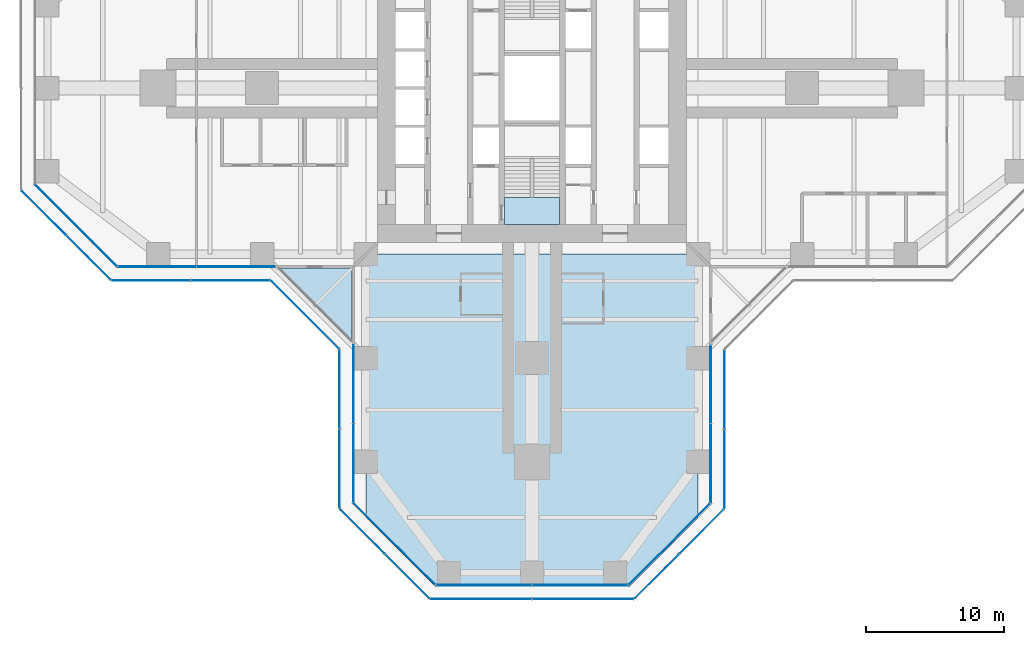
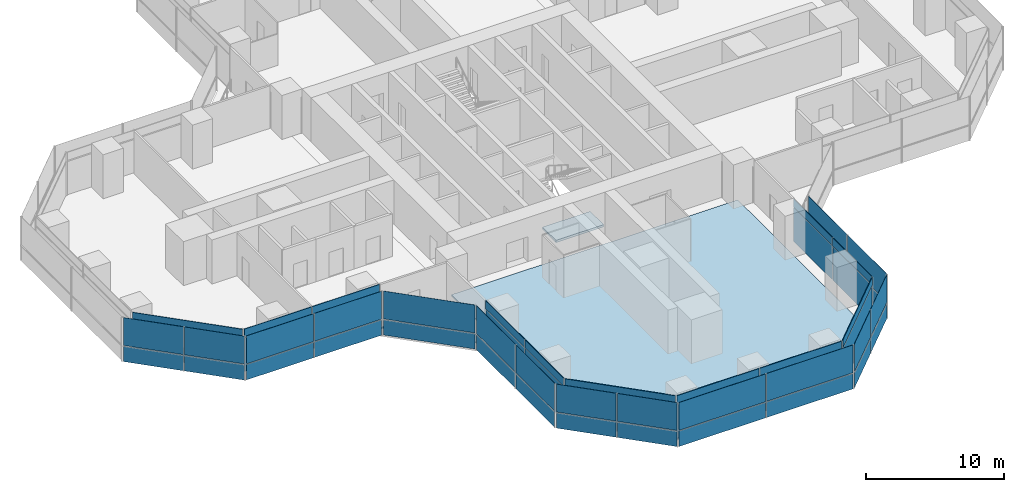
# One storey, part 14 of 22: 52 plates, 3 slabs, 16 elements without a shape of their own.
"""IFC4 building model written with IfcOpenShell, lengths in metres."""

from ifc_helpers import new_model, si_unit, direction, frame, origin, origin_2d, place, context, subcontext, project, spatial, polyline, rectangle, outline, extrude, material, layer, layer_set, type_object, element, aggregate, save


model = new_model("IFC4")

# Units and contexts
model_context = context("Model", 3, precision=1e-05, world=origin(), true_north=direction((0.0, 1.0)))
body_context = subcontext(model_context, "Body", "Model", "MODEL_VIEW")
ifc_project = project(units=[si_unit("LENGTHUNIT", "METRE"), si_unit("AREAUNIT", "SQUARE_METRE"), si_unit("VOLUMEUNIT", "CUBIC_METRE"), si_unit("PLANEANGLEUNIT", "RADIAN"), si_unit("MASSUNIT", "GRAM", prefix="KILO")], contexts=[model_context])

# Site, building, storey
site_placement = place(None, origin())
site = spatial("IfcSite", under=ifc_project, at=site_placement, CompositionType="ELEMENT")
building_placement = place(site_placement, origin())
building = spatial("IfcBuilding", under=site, at=building_placement, Name="Mizan Broadcast Tower", CompositionType="ELEMENT")
storey_placement = place(building_placement, frame((0.0, 0.0, 43.5)))
storey = spatial("IfcBuildingStorey", under=building, at=storey_placement, Name="L07", CompositionType="ELEMENT", Elevation=43.5)

# Slab
ifc_material_1 = material(Name="Concrete C32/40", Category="concrete")
ifc_layer_1 = layer(ifc_material_1, 0.1298828125)
ifc_layer_set_1 = layer_set([ifc_layer_1], Name="Concrete C32/40")
slab_type_1 = type_object("IfcSlabType", Name="COMPOSITE DECK SLAB 130", PredefinedType="FLOOR", material=ifc_layer_set_1)
slab_1_placement = place(storey_placement, frame((0.0, 0.0, -0.1298828125)))
element("IfcSlab", 1, at=slab_1_placement, inside=storey, type_object=slab_type_1, Name="Floor slab L07 south arm", PredefinedType="FLOOR", context=body_context, shape_type="SweptSolid", body=[
    extrude(outline(polyline([(7.0, -36.0), (12.0, -31.0), (12.0, -12.0), (-12.0, -12.0), (-12.0, -31.0), (-7.0, -36.0), (7.0, -36.0)])), origin(), (0.0, 0.0, 1.0), 0.1298828125),
])

# Curtain wall, plate
ifc_material_2 = material(Name="Aluminium framed glazing", Category="aluminium")
curtain_wall_type_1 = type_object("IfcCurtainWallType", Name="INNER SKIN LOW ZONE", PredefinedType="USERDEFINED", material=ifc_material_2)
curtain_wall_1_placement = place(storey_placement, origin())
curtain_wall_1 = element("IfcCurtainWall", 2, at=curtain_wall_1_placement, inside=storey, type_object=curtain_wall_type_1, Name="Inner skin low zone L07 W chamfer", ObjectType="INNER SKIN LOW ZONE", PredefinedType="USERDEFINED")
ifc_material_3 = material(Name="Double glazing, clear low-e", Category="glass")
ifc_layer_2 = layer(ifc_material_3, 0.028076171875)
ifc_layer_set_2 = layer_set([ifc_layer_2], Name="Double glazing, clear low-e")
plate_type_1 = type_object("IfcPlateType", Name="INNER SKIN GLAZING UNIT", PredefinedType="CURTAIN_PANEL", material=ifc_layer_set_2)
plate_1_placement = place(storey_placement, frame((-32.92919921875, -9.92919921875, 0.0), z_axis=(0.0, 0.0, 1.0), x_axis=(0.707106781187, -0.707106781187, 0.0)))
plate_1 = element("IfcPlate", 3, at=plate_1_placement, type_object=plate_type_1, Name="Inner skin low zone L07 W chamfer panel 1.1", PredefinedType="CURTAIN_PANEL", context=body_context, shape_type="SweptSolid", body=[
    extrude(rectangle(XDim=8.282470703125, YDim=0.028076171875, at=origin_2d()), origin(), (0.0, 0.0, 1.0), 3.0),
])

# Curtain wall, plates
curtain_wall_2_placement = place(storey_placement, origin())
curtain_wall_2 = element("IfcCurtainWall", 4, at=curtain_wall_2_placement, inside=storey, type_object=curtain_wall_type_1, Name="Inner skin low zone L07 W side", ObjectType="INNER SKIN LOW ZONE", PredefinedType="USERDEFINED")
plate_2_placement = place(storey_placement, frame((-27.078857421875, -12.89990234375, 0.0), z_axis=(0.0, 0.0, 1.0), x_axis=(1.0, 0.0, 0.0)))
plate_2 = element("IfcPlate", 5, at=plate_2_placement, type_object=plate_type_1, Name="Inner skin low zone L07 W side panel 1.1", PredefinedType="CURTAIN_PANEL", context=body_context, shape_type="SweptSolid", body=[
    extrude(rectangle(XDim=5.639404296875, YDim=0.028076171875, at=origin_2d()), origin(), (0.0, 0.0, 1.0), 3.0),
])
plate_3_placement = place(storey_placement, frame((-21.379638671875, -12.89990234375, 0.0), z_axis=(0.0, 0.0, 1.0), x_axis=(1.0, 0.0, 0.0)))
plate_3 = element("IfcPlate", 6, at=plate_3_placement, type_object=plate_type_1, Name="Inner skin low zone L07 W side panel 2.1", PredefinedType="CURTAIN_PANEL", context=body_context, shape_type="SweptSolid", body=[
    extrude(rectangle(XDim=5.639404296875, YDim=0.028076171875, at=origin_2d()), origin(), (0.0, 0.0, 1.0), 3.0),
])

curtain_wall_3_placement = place(storey_placement, origin())
curtain_wall_3 = element("IfcCurtainWall", 7, at=curtain_wall_3_placement, inside=storey, type_object=curtain_wall_type_1, Name="Inner skin low zone L07 S side", ObjectType="INNER SKIN LOW ZONE", PredefinedType="USERDEFINED")
plate_4_placement = place(storey_placement, frame((-12.89990234375, -21.379638671875, 0.0), z_axis=(0.0, 0.0, 1.0), x_axis=(0.0, -1.0, 0.0)))
plate_4 = element("IfcPlate", 8, at=plate_4_placement, type_object=plate_type_1, Name="Inner skin low zone L07 S side panel 1.1", PredefinedType="CURTAIN_PANEL", context=body_context, shape_type="SweptSolid", body=[
    extrude(rectangle(XDim=5.639404296875, YDim=0.028076171875, at=origin_2d()), origin(), (0.0, 0.0, 1.0), 3.0),
])
plate_5_placement = place(storey_placement, frame((-12.89990234375, -27.078857421875, 0.0), z_axis=(0.0, 0.0, 1.0), x_axis=(0.0, -1.0, 0.0)))
plate_5 = element("IfcPlate", 9, at=plate_5_placement, type_object=plate_type_1, Name="Inner skin low zone L07 S side panel 2.1", PredefinedType="CURTAIN_PANEL", context=body_context, shape_type="SweptSolid", body=[
    extrude(rectangle(XDim=5.639404296875, YDim=0.028076171875, at=origin_2d()), origin(), (0.0, 0.0, 1.0), 3.0),
])

# Curtain wall, plate
curtain_wall_4_placement = place(storey_placement, origin())
curtain_wall_4 = element("IfcCurtainWall", 10, at=curtain_wall_4_placement, inside=storey, type_object=curtain_wall_type_1, Name="Inner skin low zone L07 S chamfer", ObjectType="INNER SKIN LOW ZONE", PredefinedType="USERDEFINED")
plate_6_placement = place(storey_placement, frame((-9.92919921875, -32.92919921875, 0.0), z_axis=(0.0, 0.0, 1.0), x_axis=(0.707106781187, -0.707106781187, 0.0)))
plate_6 = element("IfcPlate", 11, at=plate_6_placement, type_object=plate_type_1, Name="Inner skin low zone L07 S chamfer panel 1.1", PredefinedType="CURTAIN_PANEL", context=body_context, shape_type="SweptSolid", body=[
    extrude(rectangle(XDim=8.282470703125, YDim=0.028076171875, at=origin_2d()), origin(), (0.0, 0.0, 1.0), 3.0),
])

# Curtain wall, plates
curtain_wall_5_placement = place(storey_placement, origin())
curtain_wall_5 = element("IfcCurtainWall", 12, at=curtain_wall_5_placement, inside=storey, type_object=curtain_wall_type_1, Name="Inner skin low zone L07 S end", ObjectType="INNER SKIN LOW ZONE", PredefinedType="USERDEFINED")
plate_7_placement = place(storey_placement, frame((-3.46435546875, -35.89990234375, 0.0), z_axis=(0.0, 0.0, 1.0), x_axis=(1.0, 0.0, 0.0)))
plate_7 = element("IfcPlate", 13, at=plate_7_placement, type_object=plate_type_1, Name="Inner skin low zone L07 S end panel 1.1", PredefinedType="CURTAIN_PANEL", context=body_context, shape_type="SweptSolid", body=[
    extrude(rectangle(XDim=6.86865234375, YDim=0.028076171875, at=origin_2d()), origin(), (0.0, 0.0, 1.0), 3.0),
])
plate_8_placement = place(storey_placement, frame((3.46435546875, -35.89990234375, 0.0), z_axis=(0.0, 0.0, 1.0), x_axis=(1.0, 0.0, 0.0)))
plate_8 = element("IfcPlate", 14, at=plate_8_placement, type_object=plate_type_1, Name="Inner skin low zone L07 S end panel 2.1", PredefinedType="CURTAIN_PANEL", context=body_context, shape_type="SweptSolid", body=[
    extrude(rectangle(XDim=6.86865234375, YDim=0.028076171875, at=origin_2d()), origin(), (0.0, 0.0, 1.0), 3.0),
])

# Curtain wall, plate
curtain_wall_6_placement = place(storey_placement, origin())
curtain_wall_6 = element("IfcCurtainWall", 15, at=curtain_wall_6_placement, inside=storey, type_object=curtain_wall_type_1, Name="Inner skin low zone L07 S chamfer", ObjectType="INNER SKIN LOW ZONE", PredefinedType="USERDEFINED")
plate_9_placement = place(storey_placement, frame((9.92919921875, -32.92919921875, 0.0), z_axis=(0.0, 0.0, 1.0), x_axis=(0.707106781187, 0.707106781187, 0.0)))
plate_9 = element("IfcPlate", 16, at=plate_9_placement, type_object=plate_type_1, Name="Inner skin low zone L07 S chamfer panel 1.1", PredefinedType="CURTAIN_PANEL", context=body_context, shape_type="SweptSolid", body=[
    extrude(rectangle(XDim=8.282470703125, YDim=0.028076171875, at=origin_2d()), origin(), (0.0, 0.0, 1.0), 3.0),
])

# Curtain wall, plates
curtain_wall_7_placement = place(storey_placement, origin())
curtain_wall_7 = element("IfcCurtainWall", 17, at=curtain_wall_7_placement, inside=storey, type_object=curtain_wall_type_1, Name="Inner skin low zone L07 S side", ObjectType="INNER SKIN LOW ZONE", PredefinedType="USERDEFINED")
plate_10_placement = place(storey_placement, frame((12.89990234375, -27.078857421875, 0.0), z_axis=(0.0, 0.0, 1.0), x_axis=(0.0, 1.0, 0.0)))
plate_10 = element("IfcPlate", 18, at=plate_10_placement, type_object=plate_type_1, Name="Inner skin low zone L07 S side panel 1.1", PredefinedType="CURTAIN_PANEL", context=body_context, shape_type="SweptSolid", body=[
    extrude(rectangle(XDim=5.639404296875, YDim=0.028076171875, at=origin_2d()), origin(), (0.0, 0.0, 1.0), 3.0),
])
plate_11_placement = place(storey_placement, frame((12.89990234375, -21.379638671875, 0.0), z_axis=(0.0, 0.0, 1.0), x_axis=(0.0, 1.0, 0.0)))
plate_11 = element("IfcPlate", 19, at=plate_11_placement, type_object=plate_type_1, Name="Inner skin low zone L07 S side panel 2.1", PredefinedType="CURTAIN_PANEL", context=body_context, shape_type="SweptSolid", body=[
    extrude(rectangle(XDim=5.639404296875, YDim=0.028076171875, at=origin_2d()), origin(), (0.0, 0.0, 1.0), 3.0),
])

# Plate
ifc_material_4 = material(Name="Insulated aluminium spandrel panel, pale anodised", Category="aluminium")
ifc_layer_3 = layer(ifc_material_4, 0.050048828125)
ifc_layer_set_3 = layer_set([ifc_layer_3], Name="Insulated aluminium spandrel panel, pale anodised")
plate_type_2 = type_object("IfcPlateType", Name="INNER SKIN SPANDREL PANEL", PredefinedType="CURTAIN_PANEL", material=ifc_layer_set_3)
plate_12_placement = place(storey_placement, frame((-32.92919921875, -9.92919921875, 3.06005859375), z_axis=(0.0, 0.0, 1.0), x_axis=(0.707106781187, -0.707106781187, 0.0)))
plate_12 = element("IfcPlate", 20, at=plate_12_placement, type_object=plate_type_2, Name="Inner skin low zone L07 W chamfer panel 1.2", PredefinedType="CURTAIN_PANEL", context=body_context, shape_type="SweptSolid", body=[
    extrude(rectangle(XDim=8.282470703125, YDim=0.050048828125, at=origin_2d()), origin(), (0.0, 0.0, 1.0), 0.7099609375),
])

aggregate(curtain_wall_1, [plate_1, plate_12])

plate_13_placement = place(storey_placement, frame((-27.078857421875, -12.89990234375, 3.06005859375), z_axis=(0.0, 0.0, 1.0), x_axis=(1.0, 0.0, 0.0)))
plate_13 = element("IfcPlate", 21, at=plate_13_placement, type_object=plate_type_2, Name="Inner skin low zone L07 W side panel 1.2", PredefinedType="CURTAIN_PANEL", context=body_context, shape_type="SweptSolid", body=[
    extrude(rectangle(XDim=5.639404296875, YDim=0.050048828125, at=origin_2d()), origin(), (0.0, 0.0, 1.0), 0.7099609375),
])

plate_14_placement = place(storey_placement, frame((-21.379638671875, -12.89990234375, 3.06005859375), z_axis=(0.0, 0.0, 1.0), x_axis=(1.0, 0.0, 0.0)))
plate_14 = element("IfcPlate", 22, at=plate_14_placement, type_object=plate_type_2, Name="Inner skin low zone L07 W side panel 2.2", PredefinedType="CURTAIN_PANEL", context=body_context, shape_type="SweptSolid", body=[
    extrude(rectangle(XDim=5.639404296875, YDim=0.050048828125, at=origin_2d()), origin(), (0.0, 0.0, 1.0), 0.7099609375),
])

aggregate(curtain_wall_2, [plate_2, plate_13, plate_3, plate_14])

plate_15_placement = place(storey_placement, frame((-12.89990234375, -21.379638671875, 3.06005859375), z_axis=(0.0, 0.0, 1.0), x_axis=(0.0, -1.0, 0.0)))
plate_15 = element("IfcPlate", 23, at=plate_15_placement, type_object=plate_type_2, Name="Inner skin low zone L07 S side panel 1.2", PredefinedType="CURTAIN_PANEL", context=body_context, shape_type="SweptSolid", body=[
    extrude(rectangle(XDim=5.639404296875, YDim=0.050048828125, at=origin_2d()), origin(), (0.0, 0.0, 1.0), 0.7099609375),
])

plate_16_placement = place(storey_placement, frame((-12.89990234375, -27.078857421875, 3.06005859375), z_axis=(0.0, 0.0, 1.0), x_axis=(0.0, -1.0, 0.0)))
plate_16 = element("IfcPlate", 24, at=plate_16_placement, type_object=plate_type_2, Name="Inner skin low zone L07 S side panel 2.2", PredefinedType="CURTAIN_PANEL", context=body_context, shape_type="SweptSolid", body=[
    extrude(rectangle(XDim=5.639404296875, YDim=0.050048828125, at=origin_2d()), origin(), (0.0, 0.0, 1.0), 0.7099609375),
])

aggregate(curtain_wall_3, [plate_4, plate_15, plate_5, plate_16])

plate_17_placement = place(storey_placement, frame((-9.92919921875, -32.92919921875, 3.06005859375), z_axis=(0.0, 0.0, 1.0), x_axis=(0.707106781187, -0.707106781187, 0.0)))
plate_17 = element("IfcPlate", 25, at=plate_17_placement, type_object=plate_type_2, Name="Inner skin low zone L07 S chamfer panel 1.2", PredefinedType="CURTAIN_PANEL", context=body_context, shape_type="SweptSolid", body=[
    extrude(rectangle(XDim=8.282470703125, YDim=0.050048828125, at=origin_2d()), origin(), (0.0, 0.0, 1.0), 0.7099609375),
])

aggregate(curtain_wall_4, [plate_6, plate_17])

plate_18_placement = place(storey_placement, frame((-3.46435546875, -35.89990234375, 3.06005859375), z_axis=(0.0, 0.0, 1.0), x_axis=(1.0, 0.0, 0.0)))
plate_18 = element("IfcPlate", 26, at=plate_18_placement, type_object=plate_type_2, Name="Inner skin low zone L07 S end panel 1.2", PredefinedType="CURTAIN_PANEL", context=body_context, shape_type="SweptSolid", body=[
    extrude(rectangle(XDim=6.86865234375, YDim=0.050048828125, at=origin_2d()), origin(), (0.0, 0.0, 1.0), 0.7099609375),
])

plate_19_placement = place(storey_placement, frame((3.46435546875, -35.89990234375, 3.06005859375), z_axis=(0.0, 0.0, 1.0), x_axis=(1.0, 0.0, 0.0)))
plate_19 = element("IfcPlate", 27, at=plate_19_placement, type_object=plate_type_2, Name="Inner skin low zone L07 S end panel 2.2", PredefinedType="CURTAIN_PANEL", context=body_context, shape_type="SweptSolid", body=[
    extrude(rectangle(XDim=6.86865234375, YDim=0.050048828125, at=origin_2d()), origin(), (0.0, 0.0, 1.0), 0.7099609375),
])

aggregate(curtain_wall_5, [plate_7, plate_18, plate_8, plate_19])

plate_20_placement = place(storey_placement, frame((9.92919921875, -32.92919921875, 3.06005859375), z_axis=(0.0, 0.0, 1.0), x_axis=(0.707106781187, 0.707106781187, 0.0)))
plate_20 = element("IfcPlate", 28, at=plate_20_placement, type_object=plate_type_2, Name="Inner skin low zone L07 S chamfer panel 1.2", PredefinedType="CURTAIN_PANEL", context=body_context, shape_type="SweptSolid", body=[
    extrude(rectangle(XDim=8.282470703125, YDim=0.050048828125, at=origin_2d()), origin(), (0.0, 0.0, 1.0), 0.7099609375),
])

aggregate(curtain_wall_6, [plate_9, plate_20])

plate_21_placement = place(storey_placement, frame((12.89990234375, -27.078857421875, 3.06005859375), z_axis=(0.0, 0.0, 1.0), x_axis=(0.0, 1.0, 0.0)))
plate_21 = element("IfcPlate", 29, at=plate_21_placement, type_object=plate_type_2, Name="Inner skin low zone L07 S side panel 1.2", PredefinedType="CURTAIN_PANEL", context=body_context, shape_type="SweptSolid", body=[
    extrude(rectangle(XDim=5.639404296875, YDim=0.050048828125, at=origin_2d()), origin(), (0.0, 0.0, 1.0), 0.7099609375),
])

plate_22_placement = place(storey_placement, frame((12.89990234375, -21.379638671875, 3.06005859375), z_axis=(0.0, 0.0, 1.0), x_axis=(0.0, 1.0, 0.0)))
plate_22 = element("IfcPlate", 30, at=plate_22_placement, type_object=plate_type_2, Name="Inner skin low zone L07 S side panel 2.2", PredefinedType="CURTAIN_PANEL", context=body_context, shape_type="SweptSolid", body=[
    extrude(rectangle(XDim=5.639404296875, YDim=0.050048828125, at=origin_2d()), origin(), (0.0, 0.0, 1.0), 0.7099609375),
])

aggregate(curtain_wall_7, [plate_10, plate_21, plate_11, plate_22])

# Curtain wall, plates
ifc_material_5 = material(Name="Aluminium framed glazing", Category="aluminium")
curtain_wall_type_2 = type_object("IfcCurtainWallType", Name="OUTER SKIN", PredefinedType="USERDEFINED", material=ifc_material_5)
curtain_wall_8_placement = place(storey_placement, origin())
curtain_wall_8 = element("IfcCurtainWall", 31, at=curtain_wall_8_placement, inside=storey, type_object=curtain_wall_type_2, Name="Outer skin L07 W chamfer", ObjectType="OUTER SKIN", PredefinedType="USERDEFINED")
ifc_material_6 = material(Name="Laminated clear glass", Category="glass")
ifc_layer_4 = layer(ifc_material_6, 0.02001953125)
ifc_layer_set_4 = layer_set([ifc_layer_4], Name="Laminated clear glass")
plate_type_3 = type_object("IfcPlateType", Name="OUTER SKIN CLEAR GLASS", PredefinedType="CURTAIN_PANEL", material=ifc_layer_set_4)
plate_23_placement = place(storey_placement, frame((-35.254150390625, -9.018798828125, 0.0), z_axis=(0.0, 0.0, 1.0), x_axis=(0.707106781187, -0.707106781187, 0.0)))
plate_23 = element("IfcPlate", 32, at=plate_23_placement, type_object=plate_type_3, Name="Outer skin L07 W chamfer panel 1.1", PredefinedType="CURTAIN_PANEL", context=body_context, shape_type="SweptSolid", body=[
    extrude(rectangle(XDim=4.495361328125, YDim=0.02001953125, at=origin_2d()), origin(), (0.0, 0.0, 1.0), 1.3701171875),
])
plate_24_placement = place(storey_placement, frame((-35.254150390625, -9.018798828125, 1.43017578125), z_axis=(0.0, 0.0, 1.0), x_axis=(0.707106781187, -0.707106781187, 0.0)))
plate_24 = element("IfcPlate", 33, at=plate_24_placement, type_object=plate_type_3, Name="Outer skin L07 W chamfer panel 1.2", PredefinedType="CURTAIN_PANEL", context=body_context, shape_type="SweptSolid", body=[
    extrude(rectangle(XDim=4.495361328125, YDim=0.02001953125, at=origin_2d()), origin(), (0.0, 0.0, 1.0), 2.469970703125),
])

curtain_wall_9_placement = place(storey_placement, origin())
curtain_wall_9 = element("IfcCurtainWall", 34, at=curtain_wall_9_placement, inside=storey, type_object=curtain_wall_type_2, Name="Outer skin L07 W side", ObjectType="OUTER SKIN", PredefinedType="USERDEFINED")
plate_25_placement = place(storey_placement, frame((-27.477783203125, -13.89990234375, 0.0), z_axis=(0.0, 0.0, 1.0), x_axis=(1.0, 0.0, 0.0)))
plate_25 = element("IfcPlate", 35, at=plate_25_placement, type_object=plate_type_3, Name="Outer skin L07 W side panel 1.1", PredefinedType="CURTAIN_PANEL", context=body_context, shape_type="SweptSolid", body=[
    extrude(rectangle(XDim=5.6298828125, YDim=0.02001953125, at=origin_2d()), origin(), (0.0, 0.0, 1.0), 1.3701171875),
])
plate_26_placement = place(storey_placement, frame((-27.477783203125, -13.89990234375, 1.43017578125), z_axis=(0.0, 0.0, 1.0), x_axis=(1.0, 0.0, 0.0)))
plate_26 = element("IfcPlate", 36, at=plate_26_placement, type_object=plate_type_3, Name="Outer skin L07 W side panel 1.2", PredefinedType="CURTAIN_PANEL", context=body_context, shape_type="SweptSolid", body=[
    extrude(rectangle(XDim=5.6298828125, YDim=0.02001953125, at=origin_2d()), origin(), (0.0, 0.0, 1.0), 2.469970703125),
])

curtain_wall_10_placement = place(storey_placement, origin())
curtain_wall_10 = element("IfcCurtainWall", 37, at=curtain_wall_10_placement, inside=storey, type_object=curtain_wall_type_2, Name="Outer skin L07 W chamfer", ObjectType="OUTER SKIN", PredefinedType="USERDEFINED")
plate_27_placement = place(storey_placement, frame((-16.386474609375, -16.386474609375, 0.0), z_axis=(0.0, 0.0, 1.0), x_axis=(0.707106781187, -0.707106781187, 0.0)))
plate_27 = element("IfcPlate", 38, at=plate_27_placement, type_object=plate_type_3, Name="Outer skin L07 W chamfer panel 1.1", PredefinedType="CURTAIN_PANEL", context=body_context, shape_type="SweptSolid", body=[
    extrude(rectangle(XDim=6.87255859375, YDim=0.02001953125, at=origin_2d()), origin(), (0.0, 0.0, 1.0), 1.3701171875),
])
plate_28_placement = place(storey_placement, frame((-16.386474609375, -16.386474609375, 1.43017578125), z_axis=(0.0, 0.0, 1.0), x_axis=(0.707106781187, -0.707106781187, 0.0)))
plate_28 = element("IfcPlate", 39, at=plate_28_placement, type_object=plate_type_3, Name="Outer skin L07 W chamfer panel 1.2", PredefinedType="CURTAIN_PANEL", context=body_context, shape_type="SweptSolid", body=[
    extrude(rectangle(XDim=6.87255859375, YDim=0.02001953125, at=origin_2d()), origin(), (0.0, 0.0, 1.0), 2.469970703125),
])
aggregate(curtain_wall_10, [plate_27, plate_28])

curtain_wall_11_placement = place(storey_placement, origin())
curtain_wall_11 = element("IfcCurtainWall", 40, at=curtain_wall_11_placement, inside=storey, type_object=curtain_wall_type_2, Name="Outer skin L07 S side", ObjectType="OUTER SKIN", PredefinedType="USERDEFINED")
plate_29_placement = place(storey_placement, frame((-13.89990234375, -21.767822265625, 0.0), z_axis=(0.0, 0.0, 1.0), x_axis=(0.0, -1.0, 0.0)))
plate_29 = element("IfcPlate", 41, at=plate_29_placement, type_object=plate_type_3, Name="Outer skin L07 S side panel 1.1", PredefinedType="CURTAIN_PANEL", context=body_context, shape_type="SweptSolid", body=[
    extrude(rectangle(XDim=5.6298828125, YDim=0.02001953125, at=origin_2d()), origin(), (0.0, 0.0, 1.0), 1.3701171875),
])
plate_30_placement = place(storey_placement, frame((-13.89990234375, -21.767822265625, 1.43017578125), z_axis=(0.0, 0.0, 1.0), x_axis=(0.0, -1.0, 0.0)))
plate_30 = element("IfcPlate", 42, at=plate_30_placement, type_object=plate_type_3, Name="Outer skin L07 S side panel 1.2", PredefinedType="CURTAIN_PANEL", context=body_context, shape_type="SweptSolid", body=[
    extrude(rectangle(XDim=5.6298828125, YDim=0.02001953125, at=origin_2d()), origin(), (0.0, 0.0, 1.0), 2.469970703125),
])

curtain_wall_12_placement = place(storey_placement, origin())
curtain_wall_12 = element("IfcCurtainWall", 43, at=curtain_wall_12_placement, inside=storey, type_object=curtain_wall_type_2, Name="Outer skin L07 S chamfer", ObjectType="OUTER SKIN", PredefinedType="USERDEFINED")
plate_31_placement = place(storey_placement, frame((-12.254150390625, -32.018798828125, 0.0), z_axis=(0.0, 0.0, 1.0), x_axis=(0.707106781187, -0.707106781187, 0.0)))
plate_31 = element("IfcPlate", 44, at=plate_31_placement, type_object=plate_type_3, Name="Outer skin L07 S chamfer panel 1.1", PredefinedType="CURTAIN_PANEL", context=body_context, shape_type="SweptSolid", body=[
    extrude(rectangle(XDim=4.495361328125, YDim=0.02001953125, at=origin_2d()), origin(), (0.0, 0.0, 1.0), 1.3701171875),
])
plate_32_placement = place(storey_placement, frame((-12.254150390625, -32.018798828125, 1.43017578125), z_axis=(0.0, 0.0, 1.0), x_axis=(0.707106781187, -0.707106781187, 0.0)))
plate_32 = element("IfcPlate", 45, at=plate_32_placement, type_object=plate_type_3, Name="Outer skin L07 S chamfer panel 1.2", PredefinedType="CURTAIN_PANEL", context=body_context, shape_type="SweptSolid", body=[
    extrude(rectangle(XDim=4.495361328125, YDim=0.02001953125, at=origin_2d()), origin(), (0.0, 0.0, 1.0), 2.469970703125),
])

curtain_wall_13_placement = place(storey_placement, origin())
curtain_wall_13 = element("IfcCurtainWall", 46, at=curtain_wall_13_placement, inside=storey, type_object=curtain_wall_type_2, Name="Outer skin L07 S end", ObjectType="OUTER SKIN", PredefinedType="USERDEFINED")
plate_33_placement = place(storey_placement, frame((-3.66650390625, -36.89990234375, 0.0), z_axis=(0.0, 0.0, 1.0), x_axis=(1.0, 0.0, 0.0)))
plate_33 = element("IfcPlate", 47, at=plate_33_placement, type_object=plate_type_3, Name="Outer skin L07 S end panel 1.1", PredefinedType="CURTAIN_PANEL", context=body_context, shape_type="SweptSolid", body=[
    extrude(rectangle(XDim=7.252685546875, YDim=0.02001953125, at=origin_2d()), origin(), (0.0, 0.0, 1.0), 1.3701171875),
])
plate_34_placement = place(storey_placement, frame((-3.66650390625, -36.89990234375, 1.43017578125), z_axis=(0.0, 0.0, 1.0), x_axis=(1.0, 0.0, 0.0)))
plate_34 = element("IfcPlate", 48, at=plate_34_placement, type_object=plate_type_3, Name="Outer skin L07 S end panel 1.2", PredefinedType="CURTAIN_PANEL", context=body_context, shape_type="SweptSolid", body=[
    extrude(rectangle(XDim=7.252685546875, YDim=0.02001953125, at=origin_2d()), origin(), (0.0, 0.0, 1.0), 2.469970703125),
])

curtain_wall_14_placement = place(storey_placement, origin())
curtain_wall_14 = element("IfcCurtainWall", 49, at=curtain_wall_14_placement, inside=storey, type_object=curtain_wall_type_2, Name="Outer skin L07 S chamfer", ObjectType="OUTER SKIN", PredefinedType="USERDEFINED")
plate_35_placement = place(storey_placement, frame((9.018798828125, -35.254150390625, 0.0), z_axis=(0.0, 0.0, 1.0), x_axis=(0.707106781187, 0.707106781187, 0.0)))
plate_35 = element("IfcPlate", 50, at=plate_35_placement, type_object=plate_type_3, Name="Outer skin L07 S chamfer panel 1.1", PredefinedType="CURTAIN_PANEL", context=body_context, shape_type="SweptSolid", body=[
    extrude(rectangle(XDim=4.495361328125, YDim=0.02001953125, at=origin_2d()), origin(), (0.0, 0.0, 1.0), 1.3701171875),
])
plate_36_placement = place(storey_placement, frame((9.018798828125, -35.254150390625, 1.43017578125), z_axis=(0.0, 0.0, 1.0), x_axis=(0.707106781187, 0.707106781187, 0.0)))
plate_36 = element("IfcPlate", 51, at=plate_36_placement, type_object=plate_type_3, Name="Outer skin L07 S chamfer panel 1.2", PredefinedType="CURTAIN_PANEL", context=body_context, shape_type="SweptSolid", body=[
    extrude(rectangle(XDim=4.495361328125, YDim=0.02001953125, at=origin_2d()), origin(), (0.0, 0.0, 1.0), 2.469970703125),
])

curtain_wall_15_placement = place(storey_placement, origin())
curtain_wall_15 = element("IfcCurtainWall", 52, at=curtain_wall_15_placement, inside=storey, type_object=curtain_wall_type_2, Name="Outer skin L07 S side", ObjectType="OUTER SKIN", PredefinedType="USERDEFINED")
plate_37_placement = place(storey_placement, frame((13.89990234375, -27.477783203125, 0.0), z_axis=(0.0, 0.0, 1.0), x_axis=(0.0, 1.0, 0.0)))
plate_37 = element("IfcPlate", 53, at=plate_37_placement, type_object=plate_type_3, Name="Outer skin L07 S side panel 1.1", PredefinedType="CURTAIN_PANEL", context=body_context, shape_type="SweptSolid", body=[
    extrude(rectangle(XDim=5.6298828125, YDim=0.02001953125, at=origin_2d()), origin(), (0.0, 0.0, 1.0), 1.3701171875),
])
plate_38_placement = place(storey_placement, frame((13.89990234375, -27.477783203125, 1.43017578125), z_axis=(0.0, 0.0, 1.0), x_axis=(0.0, 1.0, 0.0)))
plate_38 = element("IfcPlate", 54, at=plate_38_placement, type_object=plate_type_3, Name="Outer skin L07 S side panel 1.2", PredefinedType="CURTAIN_PANEL", context=body_context, shape_type="SweptSolid", body=[
    extrude(rectangle(XDim=5.6298828125, YDim=0.02001953125, at=origin_2d()), origin(), (0.0, 0.0, 1.0), 2.469970703125),
])

# Plate
ifc_material_7 = material(Name="Perforated aluminium, pale anodised", Category="aluminium")
ifc_layer_5 = layer(ifc_material_7, 0.011962890625)
ifc_layer_set_5 = layer_set([ifc_layer_5], Name="Perforated aluminium, pale anodised")
plate_type_4 = type_object("IfcPlateType", Name="OUTER SKIN PERFORATED SCREEN", PredefinedType="USERDEFINED", material=ifc_layer_set_5)
plate_39_placement = place(storey_placement, frame((-32.018798828125, -12.254150390625, 0.0), z_axis=(0.0, 0.0, 1.0), x_axis=(0.707106781187, -0.707106781187, 0.0)))
plate_39 = element("IfcPlate", 55, at=plate_39_placement, type_object=plate_type_4, Name="Outer skin L07 W chamfer panel 2.1", ObjectType="SCREEN", PredefinedType="USERDEFINED", context=body_context, shape_type="SweptSolid", body=[
    extrude(rectangle(XDim=4.495361328125, YDim=0.011962890625, at=origin_2d()), origin(), (0.0, 0.0, 1.0), 1.3701171875),
])

plate_40_placement = place(storey_placement, frame((-32.018798828125, -12.254150390625, 1.43017578125), z_axis=(0.0, 0.0, 1.0), x_axis=(0.707106781187, -0.707106781187, 0.0)))
plate_40 = element("IfcPlate", 56, at=plate_40_placement, type_object=plate_type_4, Name="Outer skin L07 W chamfer panel 2.2", ObjectType="SCREEN", PredefinedType="USERDEFINED", context=body_context, shape_type="SweptSolid", body=[
    extrude(rectangle(XDim=4.495361328125, YDim=0.011962890625, at=origin_2d()), origin(), (0.0, 0.0, 1.0), 2.469970703125),
])

aggregate(curtain_wall_8, [plate_23, plate_24, plate_39, plate_40])

plate_41_placement = place(storey_placement, frame((-21.767822265625, -13.89990234375, 0.0), z_axis=(0.0, 0.0, 1.0), x_axis=(1.0, 0.0, 0.0)))
plate_41 = element("IfcPlate", 57, at=plate_41_placement, type_object=plate_type_4, Name="Outer skin L07 W side panel 2.1", ObjectType="SCREEN", PredefinedType="USERDEFINED", context=body_context, shape_type="SweptSolid", body=[
    extrude(rectangle(XDim=5.6298828125, YDim=0.011962890625, at=origin_2d()), origin(), (0.0, 0.0, 1.0), 1.3701171875),
])

plate_42_placement = place(storey_placement, frame((-21.767822265625, -13.89990234375, 1.43017578125), z_axis=(0.0, 0.0, 1.0), x_axis=(1.0, 0.0, 0.0)))
plate_42 = element("IfcPlate", 58, at=plate_42_placement, type_object=plate_type_4, Name="Outer skin L07 W side panel 2.2", ObjectType="SCREEN", PredefinedType="USERDEFINED", context=body_context, shape_type="SweptSolid", body=[
    extrude(rectangle(XDim=5.6298828125, YDim=0.011962890625, at=origin_2d()), origin(), (0.0, 0.0, 1.0), 2.469970703125),
])

aggregate(curtain_wall_9, [plate_25, plate_26, plate_41, plate_42])

plate_43_placement = place(storey_placement, frame((-13.89990234375, -27.477783203125, 0.0), z_axis=(0.0, 0.0, 1.0), x_axis=(0.0, -1.0, 0.0)))
plate_43 = element("IfcPlate", 59, at=plate_43_placement, type_object=plate_type_4, Name="Outer skin L07 S side panel 2.1", ObjectType="SCREEN", PredefinedType="USERDEFINED", context=body_context, shape_type="SweptSolid", body=[
    extrude(rectangle(XDim=5.6298828125, YDim=0.011962890625, at=origin_2d()), origin(), (0.0, 0.0, 1.0), 1.3701171875),
])

plate_44_placement = place(storey_placement, frame((-13.89990234375, -27.477783203125, 1.43017578125), z_axis=(0.0, 0.0, 1.0), x_axis=(0.0, -1.0, 0.0)))
plate_44 = element("IfcPlate", 60, at=plate_44_placement, type_object=plate_type_4, Name="Outer skin L07 S side panel 2.2", ObjectType="SCREEN", PredefinedType="USERDEFINED", context=body_context, shape_type="SweptSolid", body=[
    extrude(rectangle(XDim=5.6298828125, YDim=0.011962890625, at=origin_2d()), origin(), (0.0, 0.0, 1.0), 2.469970703125),
])

aggregate(curtain_wall_11, [plate_29, plate_30, plate_43, plate_44])

plate_45_placement = place(storey_placement, frame((-9.018798828125, -35.254150390625, 0.0), z_axis=(0.0, 0.0, 1.0), x_axis=(0.707106781187, -0.707106781187, 0.0)))
plate_45 = element("IfcPlate", 61, at=plate_45_placement, type_object=plate_type_4, Name="Outer skin L07 S chamfer panel 2.1", ObjectType="SCREEN", PredefinedType="USERDEFINED", context=body_context, shape_type="SweptSolid", body=[
    extrude(rectangle(XDim=4.495361328125, YDim=0.011962890625, at=origin_2d()), origin(), (0.0, 0.0, 1.0), 1.3701171875),
])

plate_46_placement = place(storey_placement, frame((-9.018798828125, -35.254150390625, 1.43017578125), z_axis=(0.0, 0.0, 1.0), x_axis=(0.707106781187, -0.707106781187, 0.0)))
plate_46 = element("IfcPlate", 62, at=plate_46_placement, type_object=plate_type_4, Name="Outer skin L07 S chamfer panel 2.2", ObjectType="SCREEN", PredefinedType="USERDEFINED", context=body_context, shape_type="SweptSolid", body=[
    extrude(rectangle(XDim=4.495361328125, YDim=0.011962890625, at=origin_2d()), origin(), (0.0, 0.0, 1.0), 2.469970703125),
])

aggregate(curtain_wall_12, [plate_31, plate_32, plate_45, plate_46])

plate_47_placement = place(storey_placement, frame((3.66650390625, -36.89990234375, 0.0), z_axis=(0.0, 0.0, 1.0), x_axis=(1.0, 0.0, 0.0)))
plate_47 = element("IfcPlate", 63, at=plate_47_placement, type_object=plate_type_4, Name="Outer skin L07 S end panel 2.1", ObjectType="SCREEN", PredefinedType="USERDEFINED", context=body_context, shape_type="SweptSolid", body=[
    extrude(rectangle(XDim=7.252685546875, YDim=0.011962890625, at=origin_2d()), origin(), (0.0, 0.0, 1.0), 1.3701171875),
])

plate_48_placement = place(storey_placement, frame((3.66650390625, -36.89990234375, 1.43017578125), z_axis=(0.0, 0.0, 1.0), x_axis=(1.0, 0.0, 0.0)))
plate_48 = element("IfcPlate", 64, at=plate_48_placement, type_object=plate_type_4, Name="Outer skin L07 S end panel 2.2", ObjectType="SCREEN", PredefinedType="USERDEFINED", context=body_context, shape_type="SweptSolid", body=[
    extrude(rectangle(XDim=7.252685546875, YDim=0.011962890625, at=origin_2d()), origin(), (0.0, 0.0, 1.0), 2.469970703125),
])

aggregate(curtain_wall_13, [plate_33, plate_34, plate_47, plate_48])

plate_49_placement = place(storey_placement, frame((12.254150390625, -32.018798828125, 0.0), z_axis=(0.0, 0.0, 1.0), x_axis=(0.707106781187, 0.707106781187, 0.0)))
plate_49 = element("IfcPlate", 65, at=plate_49_placement, type_object=plate_type_4, Name="Outer skin L07 S chamfer panel 2.1", ObjectType="SCREEN", PredefinedType="USERDEFINED", context=body_context, shape_type="SweptSolid", body=[
    extrude(rectangle(XDim=4.495361328125, YDim=0.011962890625, at=origin_2d()), origin(), (0.0, 0.0, 1.0), 1.3701171875),
])

plate_50_placement = place(storey_placement, frame((12.254150390625, -32.018798828125, 1.43017578125), z_axis=(0.0, 0.0, 1.0), x_axis=(0.707106781187, 0.707106781187, 0.0)))
plate_50 = element("IfcPlate", 66, at=plate_50_placement, type_object=plate_type_4, Name="Outer skin L07 S chamfer panel 2.2", ObjectType="SCREEN", PredefinedType="USERDEFINED", context=body_context, shape_type="SweptSolid", body=[
    extrude(rectangle(XDim=4.495361328125, YDim=0.011962890625, at=origin_2d()), origin(), (0.0, 0.0, 1.0), 2.469970703125),
])

aggregate(curtain_wall_14, [plate_35, plate_36, plate_49, plate_50])

plate_51_placement = place(storey_placement, frame((13.89990234375, -21.767822265625, 0.0), z_axis=(0.0, 0.0, 1.0), x_axis=(0.0, 1.0, 0.0)))
plate_51 = element("IfcPlate", 67, at=plate_51_placement, type_object=plate_type_4, Name="Outer skin L07 S side panel 2.1", ObjectType="SCREEN", PredefinedType="USERDEFINED", context=body_context, shape_type="SweptSolid", body=[
    extrude(rectangle(XDim=5.6298828125, YDim=0.011962890625, at=origin_2d()), origin(), (0.0, 0.0, 1.0), 1.3701171875),
])

plate_52_placement = place(storey_placement, frame((13.89990234375, -21.767822265625, 1.43017578125), z_axis=(0.0, 0.0, 1.0), x_axis=(0.0, 1.0, 0.0)))
plate_52 = element("IfcPlate", 68, at=plate_52_placement, type_object=plate_type_4, Name="Outer skin L07 S side panel 2.2", ObjectType="SCREEN", PredefinedType="USERDEFINED", context=body_context, shape_type="SweptSolid", body=[
    extrude(rectangle(XDim=5.6298828125, YDim=0.011962890625, at=origin_2d()), origin(), (0.0, 0.0, 1.0), 2.469970703125),
])

aggregate(curtain_wall_15, [plate_37, plate_38, plate_51, plate_52])

# Stair, slab
ifc_material_8 = material(Name="Concrete C40/50", Category="concrete")
stair_type = type_object("IfcStairType", Name="EXIT STAIR", PredefinedType="HALF_TURN_STAIR", material=ifc_material_8)
stair_placement = place(storey_placement, origin())
stair = element("IfcStair", 69, at=stair_placement, inside=storey, type_object=stair_type, Name="Stair A L07", PredefinedType="HALF_TURN_STAIR")
ifc_material_9 = material(Name="Concrete C40/50", Category="concrete")
ifc_layer_6 = layer(ifc_material_9, 0.199951171875)
ifc_layer_set_6 = layer_set([ifc_layer_6], Name="Concrete C40/50")
slab_type_2 = type_object("IfcSlabType", Name="STAIR LANDING 200", PredefinedType="LANDING", material=ifc_layer_set_6)
slab_2_placement = place(storey_placement, frame((0.0, 0.0, -0.199951171875)))
slab_2 = element("IfcSlab", 70, at=slab_2_placement, type_object=slab_type_2, Name="A landing 1", PredefinedType="LANDING", context=body_context, shape_type="SweptSolid", body=[
    extrude(outline(polyline([(-2.0, -9.85009765625), (-2.0, -7.89990234375), (2.0, -7.89990234375), (2.0, -9.85009765625), (-2.0, -9.85009765625)])), origin(), (0.0, 0.0, 1.0), 0.199951171875),
])
aggregate(stair, [slab_2])

# Slab
ifc_material_10 = material(Name="Concrete C32/40", Category="concrete")
ifc_layer_7 = layer(ifc_material_10, 0.1298828125)
ifc_layer_set_7 = layer_set([ifc_layer_7], Name="Concrete C32/40")
slab_type_3 = type_object("IfcSlabType", Name="WINTER GARDEN SLAB 130", PredefinedType="FLOOR", material=ifc_layer_set_7)
slab_3_placement = place(storey_placement, frame((0.0, 0.0, -0.1298828125)))
element("IfcSlab", 71, at=slab_3_placement, inside=storey, type_object=slab_type_3, Name="Winter garden slab L07 W", PredefinedType="FLOOR", context=body_context, shape_type="SweptSolid", body=[
    extrude(outline(polyline([(-13.0, -13.0), (-18.5, -13.0), (-13.0, -18.5), (-13.0, -13.0)])), origin(), (0.0, 0.0, 1.0), 0.1298828125),
])

save(model, "model.ifc")
